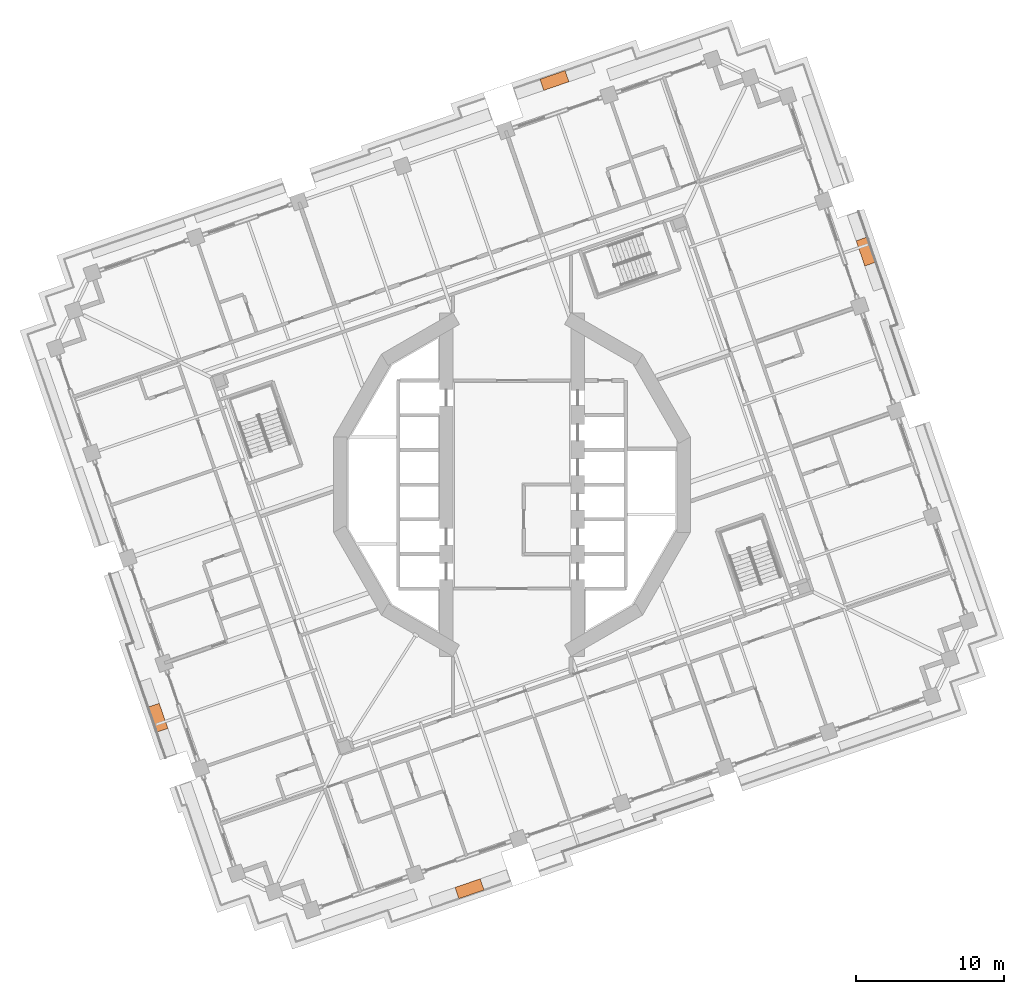
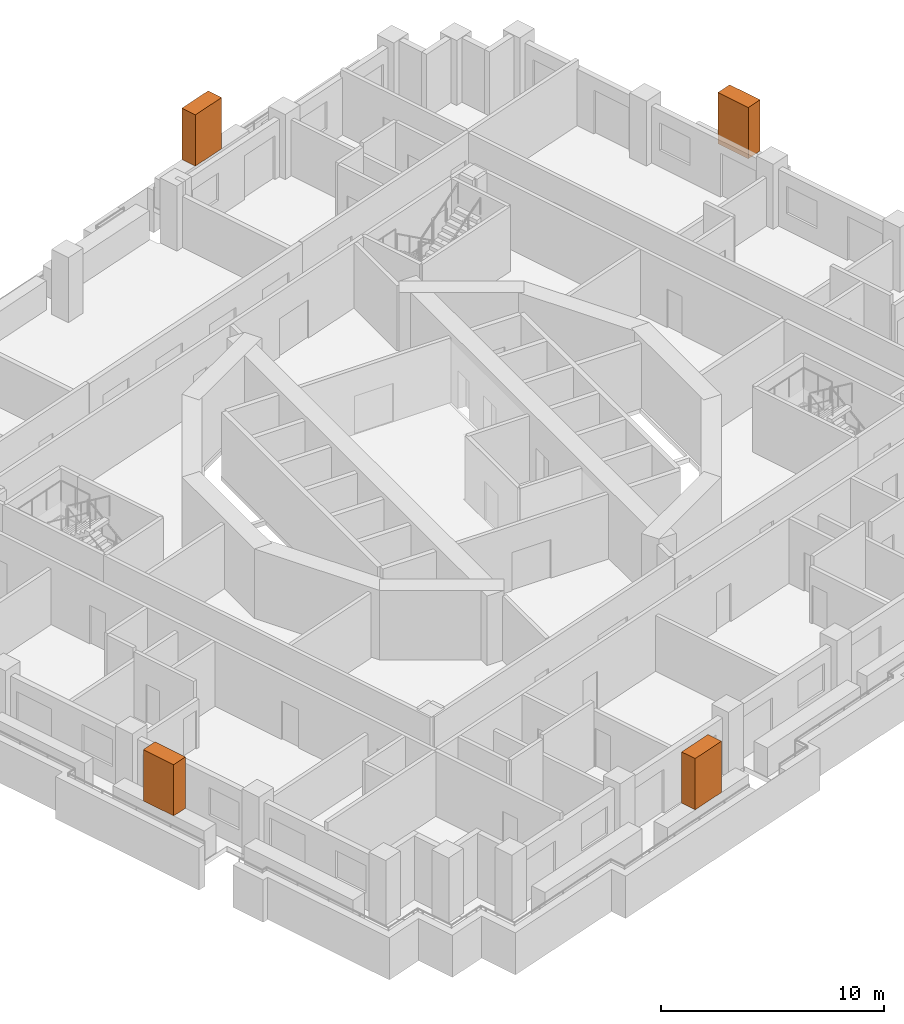
# One storey, part 18 of 18: 4 proxies.
"""IFC4 building model written with IfcOpenShell, lengths in metres."""

from ifc_helpers import new_model, si_unit, direction, frame, origin, origin_2d, place, context, subcontext, project, spatial, rectangle, extrude, element, save


model = new_model("IFC4")

# Units and contexts
model_context = context("Model", 3, precision=1e-05, world=origin(), true_north=direction((0.0, 1.0)))
body_context = subcontext(model_context, "Body", "Model", "MODEL_VIEW")
ifc_project = project(units=[si_unit("LENGTHUNIT", "METRE"), si_unit("AREAUNIT", "SQUARE_METRE"), si_unit("VOLUMEUNIT", "CUBIC_METRE"), si_unit("PLANEANGLEUNIT", "RADIAN"), si_unit("MASSUNIT", "GRAM", prefix="KILO")], contexts=[model_context])

# Site, building, storey
site_placement = place(None, origin())
site = spatial("IfcSite", under=ifc_project, at=site_placement, CompositionType="ELEMENT")
building_placement = place(site_placement, origin())
building = spatial("IfcBuilding", under=site, at=building_placement, Name="Cantera Rosa Tower", CompositionType="ELEMENT")
storey_placement = place(building_placement, frame((0.0, 0.0, 134.5)))
storey = spatial("IfcBuildingStorey", under=building, at=storey_placement, Name="L28", CompositionType="ELEMENT", Elevation=134.5)

# Proxies
for number, where, z_axis, x_axis, name in (
    (1, (23.968994140625, 15.783447265625, 1.60009765625), (0.0, 0.0, 1.0), (-0.325568154457, 0.945518575599, 0.0), "TREE L28-04"),
    (2, (2.87451171875, 27.3583984375, 1.60009765625), (0.0, 0.0, 1.0), (-0.945518575599, -0.325568154457, 0.0), "TREE L28-07"),
    (3, (-23.968994140625, -15.783447265625, 1.60009765625), (0.0, 0.0, 1.0), (0.325568154457, -0.945518575599, 0.0), "TREE L28-15"),
    (4, (-2.87451171875, -27.3583984375, 1.60009765625), (0.0, 0.0, 1.0), (0.945518575599, 0.325568154457, 0.0), "TREE L28-18"),
):
    element("IfcBuildingElementProxy", number, at=place(storey_placement, frame(where, z_axis=z_axis, x_axis=x_axis)), inside=storey, Name=name, ObjectType="TREE", PredefinedType="USERDEFINED", context=body_context, shape_type="SweptSolid", body=[
        extrude(rectangle(XDim=1.800048828125, YDim=0.800048828125, at=origin_2d()), origin(), (0.0, 0.0, 1.0), 2.800048828125),
    ])

save(model, "model.ifc")
